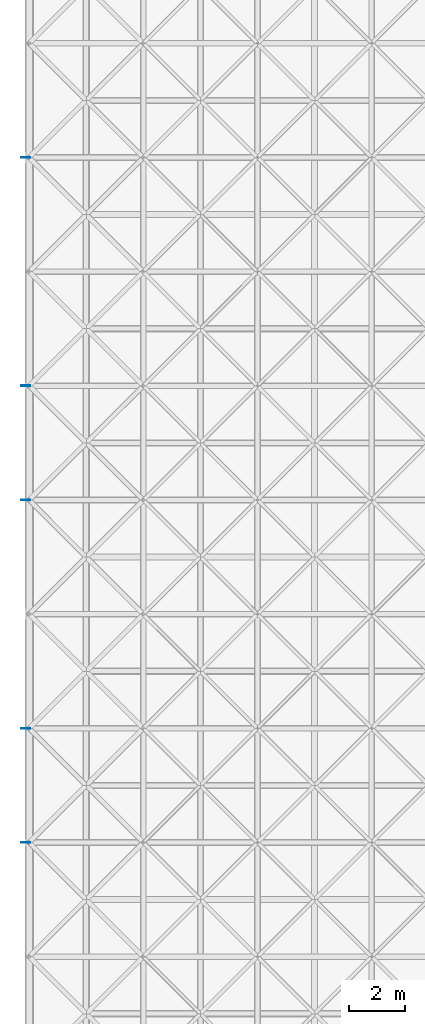
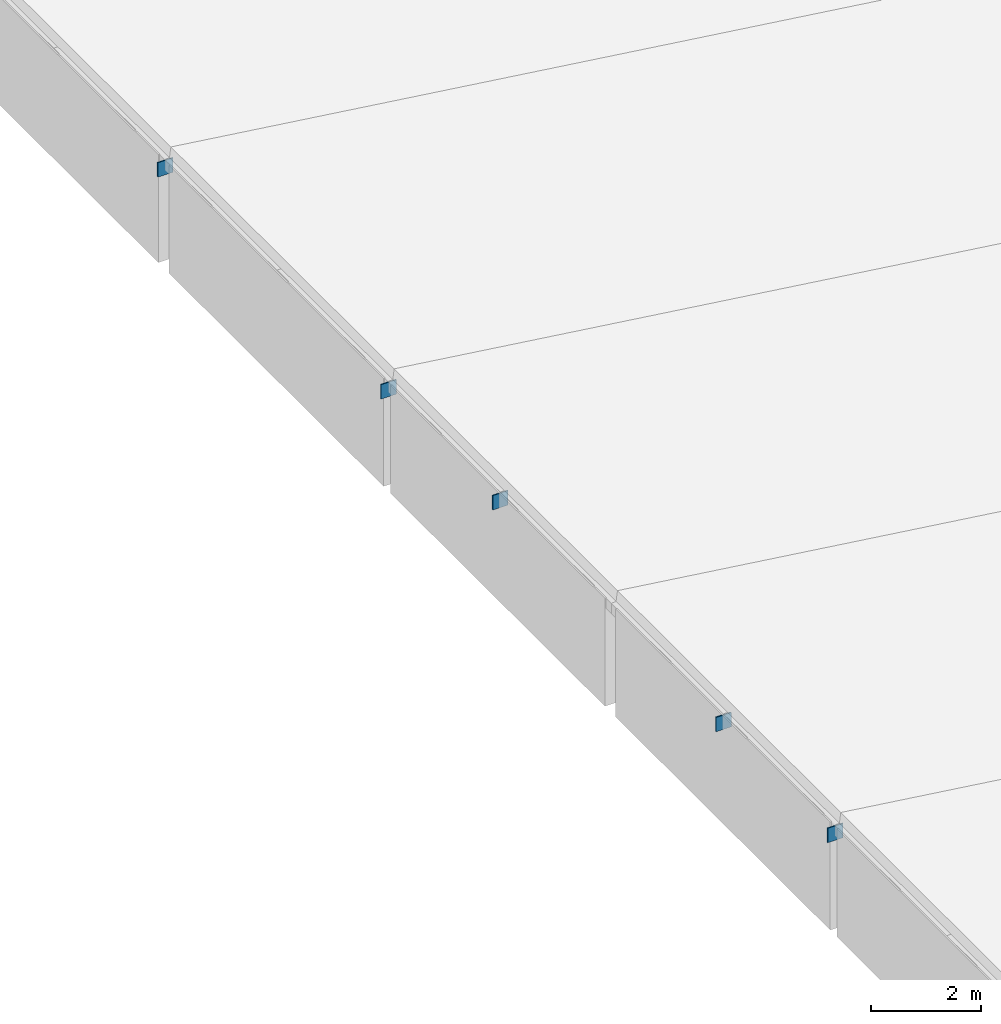
# One storey, part 60 of 70: 5 discrete accessories.
"""IFC4 building model written with IfcOpenShell, lengths in metres."""

import ifcopenshell
import ifcopenshell.guid

model = None  # the IFC model being written
_history = None  # IfcOwnerHistory: only IFC2X3 demands one
_inside = {}  # id of a spatial element -> (the spatial element, [elements in it])
_under = {}  # id of a project, library or spatial element -> (it, [spatial elements below it])
_declared = {}  # id of a project -> (the project, [libraries it declares])
_typed = {}  # id of a type object -> (the type object, [elements of that type])
_made_of = {}  # id of a material, layer set ... -> (it, [elements and type objects made of it])


def new_model(schema):
    """Start an empty IFC model of exactly this schema.

    Asked for "IFC4X3", IfcOpenShell would pick the latest addendum, in which some entities
    have other attributes; the version numbers below select the first issue.
    IFC2X3 requires an IfcOwnerHistory on every rooted entity: one is made here for all.
    """
    global model, _history
    if schema == "IFC4X3":
        model = ifcopenshell.file(schema_version=(4, 3, 0, 0))
    else:
        model = ifcopenshell.file(schema=schema)
    _inside.clear()
    _under.clear()
    _declared.clear()
    _typed.clear()
    _made_of.clear()
    _history = None
    if model.schema == "IFC2X3":
        org = make("IfcOrganization", Name="unknown")
        user = make(
            "IfcPersonAndOrganization",
            ThePerson=make("IfcPerson", FamilyName="unknown"),
            TheOrganization=org,
        )
        app = make(
            "IfcApplication",
            ApplicationDeveloper=org,
            Version="unknown",
            ApplicationFullName="unknown",
            ApplicationIdentifier="unknown",
        )
        _history = make(
            "IfcOwnerHistory",
            OwningUser=user,
            OwningApplication=app,
            ChangeAction="ADDED",
            CreationDate=0,
        )
    return model


def make(cls, **values):
    """One entity of the class cls with the attributes given. An attribute that is None is left unset."""
    return model.create_entity(
        cls, **{name: value for name, value in values.items() if value is not None}
    )


def rooted(cls, **values):
    """An entity with a GlobalId (a new one), such as an element, a storey or a relation."""
    return make(cls, GlobalId=ifcopenshell.guid.new(), OwnerHistory=_history, **values)


def si_unit(unit_type, name, prefix=None):
    """IfcSIUnit, for example si_unit("LENGTHUNIT", "METRE", prefix="MILLI")."""
    return make("IfcSIUnit", UnitType=unit_type, Prefix=prefix, Name=name)


def assignment(units):
    """IfcUnitAssignment: the units of a project."""
    return None if units is None else make("IfcUnitAssignment", Units=units)


def point(xyz):
    """IfcCartesianPoint."""
    return None if xyz is None else make("IfcCartesianPoint", Coordinates=xyz)


def direction(xyz):
    """IfcDirection."""
    return None if xyz is None else make("IfcDirection", DirectionRatios=xyz)


def frame(location, z_axis=None, x_axis=None):
    """IfcAxis2Placement3D, a coordinate frame: its origin and axes. An axis left out is left unset."""
    return make(
        "IfcAxis2Placement3D",
        Location=point(location),
        Axis=direction(z_axis),
        RefDirection=direction(x_axis),
    )


def frame_2d(location, x_axis=None):
    """IfcAxis2Placement2D, a coordinate frame in the plane: its origin and x axis."""
    return make(
        "IfcAxis2Placement2D", Location=point(location), RefDirection=direction(x_axis)
    )


def origin():
    """The frame at (0, 0, 0) with its axes left unset."""
    return frame((0.0, 0.0, 0.0))


def origin_2d():
    """The frame at (0, 0) in the plane with its x axis left unset."""
    return frame_2d((0.0, 0.0))


def place(relative_to, where):
    """IfcLocalPlacement: puts the frame where relative to a parent placement (None: the world)."""
    return make(
        "IfcLocalPlacement", PlacementRelTo=relative_to, RelativePlacement=where
    )


def context(
    kind, dimensions, precision=None, world=None, true_north=None, identifier=None
):
    """IfcGeometricRepresentationContext, for example the 3D "Model" context."""
    return make(
        "IfcGeometricRepresentationContext",
        ContextIdentifier=identifier,
        ContextType=kind,
        CoordinateSpaceDimension=dimensions,
        Precision=precision,
        WorldCoordinateSystem=world,
        TrueNorth=true_north,
    )


def subcontext(parent, identifier, kind, view, scale=None):
    """IfcGeometricRepresentationSubContext, for example "Body" below "Model"."""
    return make(
        "IfcGeometricRepresentationSubContext",
        ContextIdentifier=identifier,
        ContextType=kind,
        ParentContext=parent,
        TargetScale=scale,
        TargetView=view,
    )


def project(units=None, contexts=None):
    """IfcProject with its units and contexts."""
    return rooted(
        "IfcProject",
        Name="project",
        RepresentationContexts=contexts,
        UnitsInContext=assignment(units),
    )


def spatial(cls, under=None, at=None, **own):
    """A site, building, storey or space (cls), placed at a placement, below another one or the project."""
    s = rooted(cls, ObjectPlacement=at, **own)
    if under is not None:
        _under.setdefault(under.id(), (under, []))[1].append(s)
    return s


def profile(cls, at=None, kind="AREA", **sizes):
    """A parametric profile (cls). Its sizes go by their IFC names, for example OverallWidth=200.0."""
    return make(cls, ProfileType=kind, Position=at, **sizes)


def rectangle(**sizes):
    """IfcRectangleProfileDef."""
    return profile("IfcRectangleProfileDef", **sizes)


def extrude(swept, where, along, depth):
    """IfcExtrudedAreaSolid: the profile swept, set in the frame where, extruded along a direction by depth."""
    return make(
        "IfcExtrudedAreaSolid",
        SweptArea=swept,
        Position=where,
        ExtrudedDirection=direction(along),
        Depth=depth,
    )


def shape(context_of_items, identifier, shape_type, items):
    """IfcShapeRepresentation: the items that make up one representation, for example the "Body"."""
    return make(
        "IfcShapeRepresentation",
        ContextOfItems=context_of_items,
        RepresentationIdentifier=identifier,
        RepresentationType=shape_type,
        Items=items,
    )


def material(Name=None, Category=None):
    """IfcMaterial."""
    return make("IfcMaterial", Name=Name, Category=Category)


def made_of(thing, what):
    """Note that an element or type object is made of a material, layer set ...; save() writes the relation."""
    if what is not None:
        _made_of.setdefault(what.id(), (what, []))[1].append(thing)
    return thing


def type_object(cls, material=None, **own):
    """A type object (cls), such as IfcWallType, which elements share."""
    return made_of(rooted(cls, **own), material)


def element(
    cls,
    number,
    at=None,
    inside=None,
    cuts=None,
    type_object=None,
    material=None,
    context=None,
    identifier="Body",
    shape_type=None,
    held_by="IfcProductDefinitionShape",
    body=None,
    shapes=None,
    **own,
):
    """One element of the class cls, such as IfcWall. Its Tag is "e" and its number.

    at: its placement. inside: the storey or other place that contains it. cuts: it is an
    opening in that element (IfcRelVoidsElement). A single representation is given by context,
    identifier, shape_type and body (its items); several are given by shapes. held_by: the class
    of the entity that holds the representations. save() writes the other relations.
    """
    e = rooted(cls, Tag="e%d" % number, ObjectPlacement=at, **own)
    if body is not None:
        shapes = [shape(context, identifier, shape_type, body)]
    if shapes is not None:
        e.Representation = make(held_by, Representations=shapes)
    if inside is not None:
        _inside.setdefault(inside.id(), (inside, []))[1].append(e)
    if cuts is not None:
        rooted(
            "IfcRelVoidsElement", RelatingBuildingElement=cuts, RelatedOpeningElement=e
        )
    if type_object is not None:
        _typed.setdefault(type_object.id(), (type_object, []))[1].append(e)
    return made_of(e, material)


def aggregate(whole, parts):
    """IfcRelAggregates: a whole, such as a stair, and the parts it consists of."""
    return rooted("IfcRelAggregates", RelatingObject=whole, RelatedObjects=parts)


def save(model, path):
    """Write the relations noted so far, then the file.

    IfcRelAggregates (storeys below a building ...), IfcRelContainedInSpatialStructure (elements
    in a storey), IfcRelDefinesByType, IfcRelAssociatesMaterial and IfcRelDeclares: one each for
    every whole, place, type object, material and project.
    """
    for whole, parts in _under.values():
        aggregate(whole, parts)
    for where, things in _inside.values():
        rooted(
            "IfcRelContainedInSpatialStructure",
            RelatedElements=things,
            RelatingStructure=where,
        )
    for kind, things in _typed.values():
        rooted("IfcRelDefinesByType", RelatedObjects=things, RelatingType=kind)
    for what, things in _made_of.values():
        rooted("IfcRelAssociatesMaterial", RelatedObjects=things, RelatingMaterial=what)
    for by, libraries in _declared.values():
        rooted("IfcRelDeclares", RelatingContext=by, RelatedDefinitions=libraries)
    model.write(path)


model = new_model("IFC4")

# Units and contexts
model_context = context("Model", 3, precision=1e-05, world=origin(), true_north=direction((0.0, 1.0)))
body_context = subcontext(model_context, "Body", "Model", "MODEL_VIEW")
ifc_project = project(units=[si_unit("LENGTHUNIT", "METRE"), si_unit("AREAUNIT", "SQUARE_METRE"), si_unit("VOLUMEUNIT", "CUBIC_METRE"), si_unit("PLANEANGLEUNIT", "RADIAN"), si_unit("MASSUNIT", "GRAM", prefix="KILO")], contexts=[model_context])

# Site, building, storey
site_placement = place(None, origin())
site = spatial("IfcSite", under=ifc_project, at=site_placement, CompositionType="ELEMENT")
building_placement = place(site_placement, origin())
building = spatial("IfcBuilding", under=site, at=building_placement, Name="Vaudrelin Polytechnic", CompositionType="ELEMENT")
storey_placement = place(building_placement, frame((0.0, 0.0, 14.110107421875)))
storey = spatial("IfcBuildingStorey", under=building, at=storey_placement, Name="L03", CompositionType="ELEMENT", Elevation=14.110107421875)

# Discrete accessories
ifc_material = material(Name="Steel CSA G40.21 350WT", Category="steel")
discrete_accessory_type = type_object("IfcDiscreteAccessoryType", Name="ACC-CPL-01", PredefinedType="BRACKET", material=ifc_material)
for number, where, z_axis, x_axis, name in (
    (1, (-0.1201171875, 56.699951171875, 4.29541015625), (0.0, 0.0, 1.0), (1.0, 0.0, 0.0), "Brace end connection plate CPL-040"),
    (2, (-0.1201171875, 60.75, 4.29541015625), (0.0, 0.0, 1.0), (1.0, 0.0, 0.0), "Brace end connection plate CPL-042"),
    (3, (-0.1201171875, 68.85009765625, 4.29541015625), (0.0, 0.0, 1.0), (1.0, 0.0, 0.0), "Brace end connection plate CPL-043"),
    (4, (-0.1201171875, 72.89990234375, 4.29541015625), (0.0, 0.0, 1.0), (1.0, 0.0, 0.0), "Brace end connection plate CPL-045"),
    (5, (-0.1201171875, 81.0, 4.29541015625), (0.0, 0.0, 1.0), (1.0, 0.0, 0.0), "Brace end connection plate CPL-046"),
):
    element("IfcDiscreteAccessory", number, at=place(storey_placement, frame(where, z_axis=z_axis, x_axis=x_axis)), inside=storey, type_object=discrete_accessory_type, Name=name, PredefinedType="BRACKET", context=body_context, shape_type="SweptSolid", body=[
        extrude(rectangle(XDim=0.320068359375, YDim=0.02392578125, at=origin_2d()), origin(), (0.0, 0.0, 1.0), 0.320068359375),
    ])

save(model, "model.ifc")
